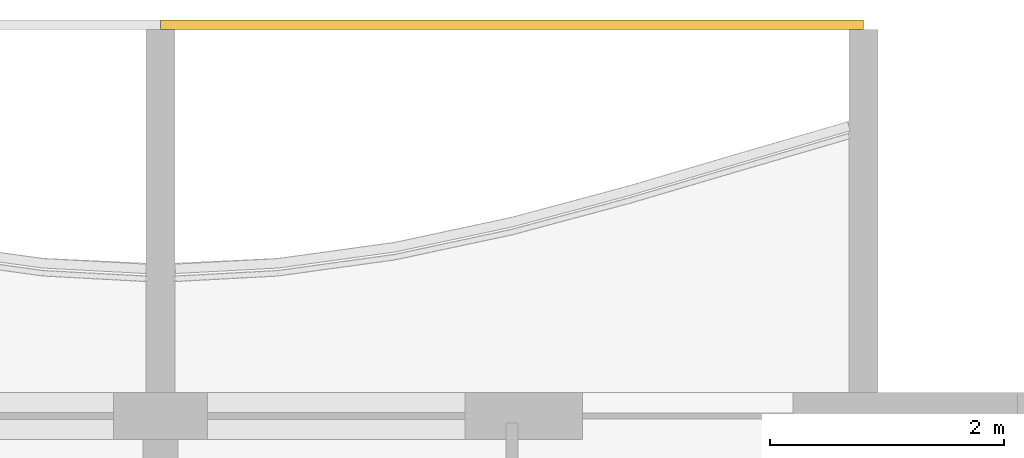
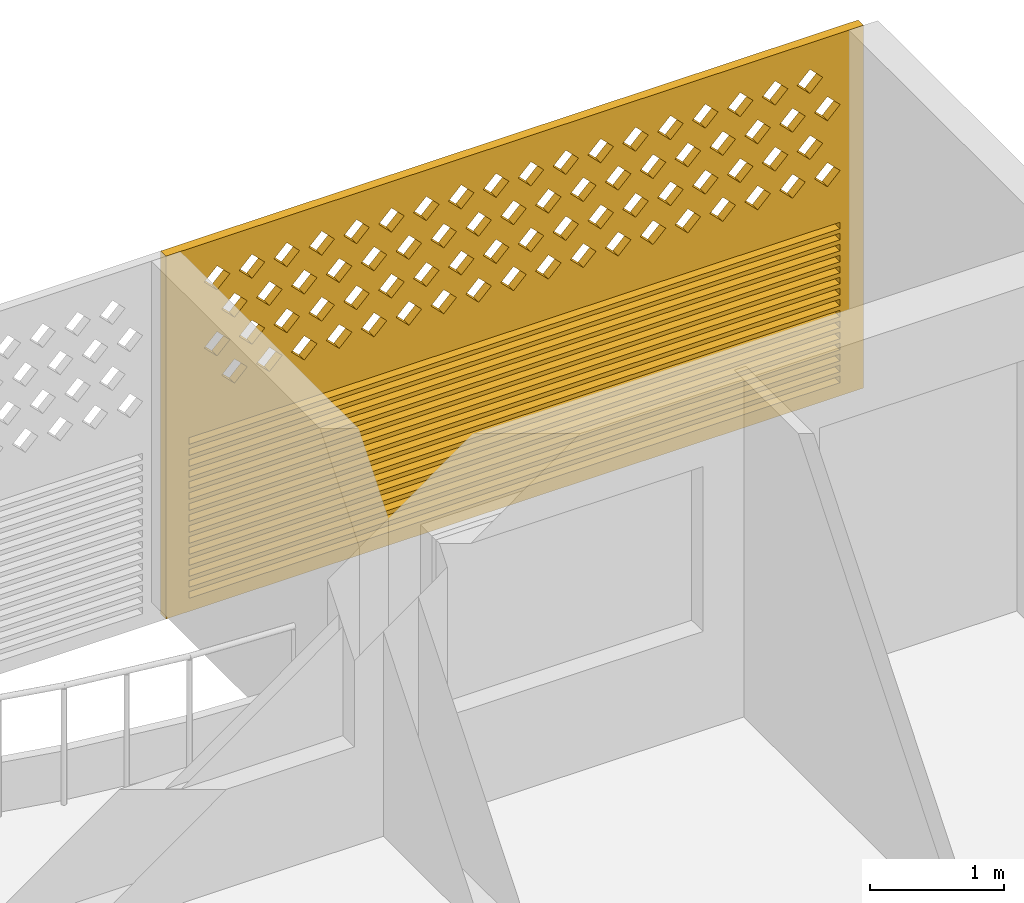
# One storey, part 32 of 32: 1 covering.
"""IFC4 building model written with IfcOpenShell, lengths in metres."""

from ifc_helpers import new_model, si_unit, direction, frame, origin, place, context, subcontext, project, spatial, polyline, outline, extrude, source, transform, mapped, material, material_profile, profile_set, type_object, element, save


model = new_model("IFC4")

# Units and contexts
model_context = context("Model", 3, precision=1e-05, world=origin(), true_north=direction((0.0, 1.0)))
body_context = subcontext(model_context, "Body", "Model", "MODEL_VIEW")
ifc_project = project(units=[si_unit("LENGTHUNIT", "METRE"), si_unit("AREAUNIT", "SQUARE_METRE"), si_unit("VOLUMEUNIT", "CUBIC_METRE"), si_unit("PLANEANGLEUNIT", "RADIAN"), si_unit("MASSUNIT", "GRAM", prefix="KILO")], contexts=[model_context])

# Site, building, storey
site_placement = place(None, origin())
site = spatial("IfcSite", under=ifc_project, at=site_placement, CompositionType="ELEMENT")
building_placement = place(site_placement, origin())
building = spatial("IfcBuilding", under=site, at=building_placement, Name="Poui Terraces", CompositionType="ELEMENT")
storey_placement = place(building_placement, frame((0.0, 0.0, 152.10009765625)))
storey = spatial("IfcBuildingStorey", under=building, at=storey_placement, Name="L42", CompositionType="ELEMENT", Elevation=152.10009765625)

# Covering
ifc_material = material(Name="Terracotta screen", Category="masonry")
ifc_material_profile = material_profile(ifc_material, outline(polyline([(-3.0, -1.64990234375), (3.0, -1.64990234375), (3.0, 1.64990234375), (-3.0, 1.64990234375), (-3.0, -1.64990234375)]), holes=[polyline([(-2.800048828125, 0.39990234375), (-2.68994140625, 0.2900390625), (-2.580078125, 0.39990234375), (-2.68994140625, 0.510009765625), (-2.800048828125, 0.39990234375)]), polyline([(-2.5, 0.39990234375), (-2.389892578125, 0.2900390625), (-2.280029296875, 0.39990234375), (-2.389892578125, 0.510009765625), (-2.5, 0.39990234375)]), polyline([(-2.199951171875, 0.39990234375), (-2.090087890625, 0.2900390625), (-1.97998046875, 0.39990234375), (-2.090087890625, 0.510009765625), (-2.199951171875, 0.39990234375)]), polyline([(-1.89990234375, 0.39990234375), (-1.7900390625, 0.2900390625), (-1.679931640625, 0.39990234375), (-1.7900390625, 0.510009765625), (-1.89990234375, 0.39990234375)]), polyline([(-1.60009765625, 0.39990234375), (-1.489990234375, 0.2900390625), (-1.3798828125, 0.39990234375), (-1.489990234375, 0.510009765625), (-1.60009765625, 0.39990234375)]), polyline([(-1.300048828125, 0.39990234375), (-1.18994140625, 0.2900390625), (-1.080078125, 0.39990234375), (-1.18994140625, 0.510009765625), (-1.300048828125, 0.39990234375)]), polyline([(-1.0, 0.39990234375), (-0.889892578125, 0.2900390625), (-0.780029296875, 0.39990234375), (-0.889892578125, 0.510009765625), (-1.0, 0.39990234375)]), polyline([(-0.699951171875, 0.39990234375), (-0.590087890625, 0.2900390625), (-0.47998046875, 0.39990234375), (-0.590087890625, 0.510009765625), (-0.699951171875, 0.39990234375)]), polyline([(-0.39990234375, 0.39990234375), (-0.2900390625, 0.2900390625), (-0.179931640625, 0.39990234375), (-0.2900390625, 0.510009765625), (-0.39990234375, 0.39990234375)]), polyline([(-0.10009765625, 0.39990234375), (0.010009765625, 0.2900390625), (0.1201171875, 0.39990234375), (0.010009765625, 0.510009765625), (-0.10009765625, 0.39990234375)]), polyline([(0.199951171875, 0.39990234375), (0.31005859375, 0.2900390625), (0.419921875, 0.39990234375), (0.31005859375, 0.510009765625), (0.199951171875, 0.39990234375)]), polyline([(0.5, 0.39990234375), (0.610107421875, 0.2900390625), (0.719970703125, 0.39990234375), (0.610107421875, 0.510009765625), (0.5, 0.39990234375)]), polyline([(0.800048828125, 0.39990234375), (0.909912109375, 0.2900390625), (1.02001953125, 0.39990234375), (0.909912109375, 0.510009765625), (0.800048828125, 0.39990234375)]), polyline([(1.10009765625, 0.39990234375), (1.2099609375, 0.2900390625), (1.320068359375, 0.39990234375), (1.2099609375, 0.510009765625), (1.10009765625, 0.39990234375)]), polyline([(1.39990234375, 0.39990234375), (1.510009765625, 0.2900390625), (1.6201171875, 0.39990234375), (1.510009765625, 0.510009765625), (1.39990234375, 0.39990234375)]), polyline([(1.699951171875, 0.39990234375), (1.81005859375, 0.2900390625), (1.919921875, 0.39990234375), (1.81005859375, 0.510009765625), (1.699951171875, 0.39990234375)]), polyline([(2.0, 0.39990234375), (2.110107421875, 0.2900390625), (2.219970703125, 0.39990234375), (2.110107421875, 0.510009765625), (2.0, 0.39990234375)]), polyline([(2.300048828125, 0.39990234375), (2.409912109375, 0.2900390625), (2.52001953125, 0.39990234375), (2.409912109375, 0.510009765625), (2.300048828125, 0.39990234375)]), polyline([(-2.64990234375, 0.699951171875), (-2.5400390625, 0.590087890625), (-2.429931640625, 0.699951171875), (-2.5400390625, 0.81005859375), (-2.64990234375, 0.699951171875)]), polyline([(-2.35009765625, 0.699951171875), (-2.239990234375, 0.590087890625), (-2.1298828125, 0.699951171875), (-2.239990234375, 0.81005859375), (-2.35009765625, 0.699951171875)]), polyline([(-2.050048828125, 0.699951171875), (-1.93994140625, 0.590087890625), (-1.830078125, 0.699951171875), (-1.93994140625, 0.81005859375), (-2.050048828125, 0.699951171875)]), polyline([(-1.75, 0.699951171875), (-1.639892578125, 0.590087890625), (-1.530029296875, 0.699951171875), (-1.639892578125, 0.81005859375), (-1.75, 0.699951171875)]), polyline([(-1.449951171875, 0.699951171875), (-1.340087890625, 0.590087890625), (-1.22998046875, 0.699951171875), (-1.340087890625, 0.81005859375), (-1.449951171875, 0.699951171875)]), polyline([(-1.14990234375, 0.699951171875), (-1.0400390625, 0.590087890625), (-0.929931640625, 0.699951171875), (-1.0400390625, 0.81005859375), (-1.14990234375, 0.699951171875)]), polyline([(-0.85009765625, 0.699951171875), (-0.739990234375, 0.590087890625), (-0.6298828125, 0.699951171875), (-0.739990234375, 0.81005859375), (-0.85009765625, 0.699951171875)]), polyline([(-0.550048828125, 0.699951171875), (-0.43994140625, 0.590087890625), (-0.330078125, 0.699951171875), (-0.43994140625, 0.81005859375), (-0.550048828125, 0.699951171875)]), polyline([(-0.25, 0.699951171875), (-0.139892578125, 0.590087890625), (-0.030029296875, 0.699951171875), (-0.139892578125, 0.81005859375), (-0.25, 0.699951171875)]), polyline([(0.050048828125, 0.699951171875), (0.159912109375, 0.590087890625), (0.27001953125, 0.699951171875), (0.159912109375, 0.81005859375), (0.050048828125, 0.699951171875)]), polyline([(0.35009765625, 0.699951171875), (0.4599609375, 0.590087890625), (0.570068359375, 0.699951171875), (0.4599609375, 0.81005859375), (0.35009765625, 0.699951171875)]), polyline([(0.64990234375, 0.699951171875), (0.760009765625, 0.590087890625), (0.8701171875, 0.699951171875), (0.760009765625, 0.81005859375), (0.64990234375, 0.699951171875)]), polyline([(0.949951171875, 0.699951171875), (1.06005859375, 0.590087890625), (1.169921875, 0.699951171875), (1.06005859375, 0.81005859375), (0.949951171875, 0.699951171875)]), polyline([(1.25, 0.699951171875), (1.360107421875, 0.590087890625), (1.469970703125, 0.699951171875), (1.360107421875, 0.81005859375), (1.25, 0.699951171875)]), polyline([(1.550048828125, 0.699951171875), (1.659912109375, 0.590087890625), (1.77001953125, 0.699951171875), (1.659912109375, 0.81005859375), (1.550048828125, 0.699951171875)]), polyline([(1.85009765625, 0.699951171875), (1.9599609375, 0.590087890625), (2.070068359375, 0.699951171875), (1.9599609375, 0.81005859375), (1.85009765625, 0.699951171875)]), polyline([(2.14990234375, 0.699951171875), (2.260009765625, 0.590087890625), (2.3701171875, 0.699951171875), (2.260009765625, 0.81005859375), (2.14990234375, 0.699951171875)]), polyline([(2.449951171875, 0.699951171875), (2.56005859375, 0.590087890625), (2.669921875, 0.699951171875), (2.56005859375, 0.81005859375), (2.449951171875, 0.699951171875)]), polyline([(-2.800048828125, 1.0), (-2.68994140625, 0.889892578125), (-2.580078125, 1.0), (-2.68994140625, 1.110107421875), (-2.800048828125, 1.0)]), polyline([(-2.5, 1.0), (-2.389892578125, 0.889892578125), (-2.280029296875, 1.0), (-2.389892578125, 1.110107421875), (-2.5, 1.0)]), polyline([(-2.199951171875, 1.0), (-2.090087890625, 0.889892578125), (-1.97998046875, 1.0), (-2.090087890625, 1.110107421875), (-2.199951171875, 1.0)]), polyline([(-1.89990234375, 1.0), (-1.7900390625, 0.889892578125), (-1.679931640625, 1.0), (-1.7900390625, 1.110107421875), (-1.89990234375, 1.0)]), polyline([(-1.60009765625, 1.0), (-1.489990234375, 0.889892578125), (-1.3798828125, 1.0), (-1.489990234375, 1.110107421875), (-1.60009765625, 1.0)]), polyline([(-1.300048828125, 1.0), (-1.18994140625, 0.889892578125), (-1.080078125, 1.0), (-1.18994140625, 1.110107421875), (-1.300048828125, 1.0)]), polyline([(-1.0, 1.0), (-0.889892578125, 0.889892578125), (-0.780029296875, 1.0), (-0.889892578125, 1.110107421875), (-1.0, 1.0)]), polyline([(-0.699951171875, 1.0), (-0.590087890625, 0.889892578125), (-0.47998046875, 1.0), (-0.590087890625, 1.110107421875), (-0.699951171875, 1.0)]), polyline([(-0.39990234375, 1.0), (-0.2900390625, 0.889892578125), (-0.179931640625, 1.0), (-0.2900390625, 1.110107421875), (-0.39990234375, 1.0)]), polyline([(-0.10009765625, 1.0), (0.010009765625, 0.889892578125), (0.1201171875, 1.0), (0.010009765625, 1.110107421875), (-0.10009765625, 1.0)]), polyline([(0.199951171875, 1.0), (0.31005859375, 0.889892578125), (0.419921875, 1.0), (0.31005859375, 1.110107421875), (0.199951171875, 1.0)]), polyline([(0.5, 1.0), (0.610107421875, 0.889892578125), (0.719970703125, 1.0), (0.610107421875, 1.110107421875), (0.5, 1.0)]), polyline([(0.800048828125, 1.0), (0.909912109375, 0.889892578125), (1.02001953125, 1.0), (0.909912109375, 1.110107421875), (0.800048828125, 1.0)]), polyline([(1.10009765625, 1.0), (1.2099609375, 0.889892578125), (1.320068359375, 1.0), (1.2099609375, 1.110107421875), (1.10009765625, 1.0)]), polyline([(1.39990234375, 1.0), (1.510009765625, 0.889892578125), (1.6201171875, 1.0), (1.510009765625, 1.110107421875), (1.39990234375, 1.0)]), polyline([(1.699951171875, 1.0), (1.81005859375, 0.889892578125), (1.919921875, 1.0), (1.81005859375, 1.110107421875), (1.699951171875, 1.0)]), polyline([(2.0, 1.0), (2.110107421875, 0.889892578125), (2.219970703125, 1.0), (2.110107421875, 1.110107421875), (2.0, 1.0)]), polyline([(2.300048828125, 1.0), (2.409912109375, 0.889892578125), (2.52001953125, 1.0), (2.409912109375, 1.110107421875), (2.300048828125, 1.0)]), polyline([(-2.64990234375, 1.300048828125), (-2.5400390625, 1.18994140625), (-2.429931640625, 1.300048828125), (-2.5400390625, 1.409912109375), (-2.64990234375, 1.300048828125)]), polyline([(-2.35009765625, 1.300048828125), (-2.239990234375, 1.18994140625), (-2.1298828125, 1.300048828125), (-2.239990234375, 1.409912109375), (-2.35009765625, 1.300048828125)]), polyline([(-2.050048828125, 1.300048828125), (-1.93994140625, 1.18994140625), (-1.830078125, 1.300048828125), (-1.93994140625, 1.409912109375), (-2.050048828125, 1.300048828125)]), polyline([(-1.75, 1.300048828125), (-1.639892578125, 1.18994140625), (-1.530029296875, 1.300048828125), (-1.639892578125, 1.409912109375), (-1.75, 1.300048828125)]), polyline([(-1.449951171875, 1.300048828125), (-1.340087890625, 1.18994140625), (-1.22998046875, 1.300048828125), (-1.340087890625, 1.409912109375), (-1.449951171875, 1.300048828125)]), polyline([(-1.14990234375, 1.300048828125), (-1.0400390625, 1.18994140625), (-0.929931640625, 1.300048828125), (-1.0400390625, 1.409912109375), (-1.14990234375, 1.300048828125)]), polyline([(-0.85009765625, 1.300048828125), (-0.739990234375, 1.18994140625), (-0.6298828125, 1.300048828125), (-0.739990234375, 1.409912109375), (-0.85009765625, 1.300048828125)]), polyline([(-0.550048828125, 1.300048828125), (-0.43994140625, 1.18994140625), (-0.330078125, 1.300048828125), (-0.43994140625, 1.409912109375), (-0.550048828125, 1.300048828125)]), polyline([(-0.25, 1.300048828125), (-0.139892578125, 1.18994140625), (-0.030029296875, 1.300048828125), (-0.139892578125, 1.409912109375), (-0.25, 1.300048828125)]), polyline([(0.050048828125, 1.300048828125), (0.159912109375, 1.18994140625), (0.27001953125, 1.300048828125), (0.159912109375, 1.409912109375), (0.050048828125, 1.300048828125)]), polyline([(0.35009765625, 1.300048828125), (0.4599609375, 1.18994140625), (0.570068359375, 1.300048828125), (0.4599609375, 1.409912109375), (0.35009765625, 1.300048828125)]), polyline([(0.64990234375, 1.300048828125), (0.760009765625, 1.18994140625), (0.8701171875, 1.300048828125), (0.760009765625, 1.409912109375), (0.64990234375, 1.300048828125)]), polyline([(0.949951171875, 1.300048828125), (1.06005859375, 1.18994140625), (1.169921875, 1.300048828125), (1.06005859375, 1.409912109375), (0.949951171875, 1.300048828125)]), polyline([(1.25, 1.300048828125), (1.360107421875, 1.18994140625), (1.469970703125, 1.300048828125), (1.360107421875, 1.409912109375), (1.25, 1.300048828125)]), polyline([(1.550048828125, 1.300048828125), (1.659912109375, 1.18994140625), (1.77001953125, 1.300048828125), (1.659912109375, 1.409912109375), (1.550048828125, 1.300048828125)]), polyline([(1.85009765625, 1.300048828125), (1.9599609375, 1.18994140625), (2.070068359375, 1.300048828125), (1.9599609375, 1.409912109375), (1.85009765625, 1.300048828125)]), polyline([(2.14990234375, 1.300048828125), (2.260009765625, 1.18994140625), (2.3701171875, 1.300048828125), (2.260009765625, 1.409912109375), (2.14990234375, 1.300048828125)]), polyline([(2.449951171875, 1.300048828125), (2.56005859375, 1.18994140625), (2.669921875, 1.300048828125), (2.56005859375, 1.409912109375), (2.449951171875, 1.300048828125)]), polyline([(-2.800048828125, -1.530029296875), (2.800048828125, -1.530029296875), (2.800048828125, -1.469970703125), (-2.800048828125, -1.469970703125), (-2.800048828125, -1.530029296875)]), polyline([(-2.800048828125, -1.429931640625), (2.800048828125, -1.429931640625), (2.800048828125, -1.3701171875), (-2.800048828125, -1.3701171875), (-2.800048828125, -1.429931640625)]), polyline([(-2.800048828125, -1.330078125), (2.800048828125, -1.330078125), (2.800048828125, -1.27001953125), (-2.800048828125, -1.27001953125), (-2.800048828125, -1.330078125)]), polyline([(-2.800048828125, -1.22998046875), (2.800048828125, -1.22998046875), (2.800048828125, -1.169921875), (-2.800048828125, -1.169921875), (-2.800048828125, -1.22998046875)]), polyline([(-2.800048828125, -1.1298828125), (2.800048828125, -1.1298828125), (2.800048828125, -1.070068359375), (-2.800048828125, -1.070068359375), (-2.800048828125, -1.1298828125)]), polyline([(-2.800048828125, -1.030029296875), (2.800048828125, -1.030029296875), (2.800048828125, -0.969970703125), (-2.800048828125, -0.969970703125), (-2.800048828125, -1.030029296875)]), polyline([(-2.800048828125, -0.929931640625), (2.800048828125, -0.929931640625), (2.800048828125, -0.8701171875), (-2.800048828125, -0.8701171875), (-2.800048828125, -0.929931640625)]), polyline([(-2.800048828125, -0.830078125), (2.800048828125, -0.830078125), (2.800048828125, -0.77001953125), (-2.800048828125, -0.77001953125), (-2.800048828125, -0.830078125)]), polyline([(-2.800048828125, -0.72998046875), (2.800048828125, -0.72998046875), (2.800048828125, -0.669921875), (-2.800048828125, -0.669921875), (-2.800048828125, -0.72998046875)]), polyline([(-2.800048828125, -0.6298828125), (2.800048828125, -0.6298828125), (2.800048828125, -0.570068359375), (-2.800048828125, -0.570068359375), (-2.800048828125, -0.6298828125)]), polyline([(-2.800048828125, -0.530029296875), (2.800048828125, -0.530029296875), (2.800048828125, -0.469970703125), (-2.800048828125, -0.469970703125), (-2.800048828125, -0.530029296875)]), polyline([(-2.800048828125, -0.429931640625), (2.800048828125, -0.429931640625), (2.800048828125, -0.3701171875), (-2.800048828125, -0.3701171875), (-2.800048828125, -0.429931640625)]), polyline([(-2.800048828125, -0.330078125), (2.800048828125, -0.330078125), (2.800048828125, -0.27001953125), (-2.800048828125, -0.27001953125), (-2.800048828125, -0.330078125)]), polyline([(-2.800048828125, -0.22998046875), (2.800048828125, -0.22998046875), (2.800048828125, -0.169921875), (-2.800048828125, -0.169921875), (-2.800048828125, -0.22998046875)]), polyline([(-2.800048828125, -0.1298828125), (2.800048828125, -0.1298828125), (2.800048828125, -0.070068359375), (-2.800048828125, -0.070068359375), (-2.800048828125, -0.1298828125)])]), Name="TERRACOTTA SCREEN AND JALOUSIE LOUVRE 6000X3300")
ifc_profile_set = profile_set([ifc_material_profile], Name="Terracotta screen")
covering_type = type_object("IfcCoveringType", Name="TERRACOTTA SCREEN AND JALOUSIE LOUVRE 6000X3300", PredefinedType="CLADDING", material=ifc_profile_set)
shared_shape = source(origin(), body_context, "Body", "SweptSolid", [
    extrude(outline(polyline([(-3.0, -1.64990234375), (3.0, -1.64990234375), (3.0, 1.64990234375), (-3.0, 1.64990234375), (-3.0, -1.64990234375)]), holes=[polyline([(-2.800048828125, 0.39990234375), (-2.68994140625, 0.2900390625), (-2.580078125, 0.39990234375), (-2.68994140625, 0.510009765625), (-2.800048828125, 0.39990234375)]), polyline([(-2.5, 0.39990234375), (-2.389892578125, 0.2900390625), (-2.280029296875, 0.39990234375), (-2.389892578125, 0.510009765625), (-2.5, 0.39990234375)]), polyline([(-2.199951171875, 0.39990234375), (-2.090087890625, 0.2900390625), (-1.97998046875, 0.39990234375), (-2.090087890625, 0.510009765625), (-2.199951171875, 0.39990234375)]), polyline([(-1.89990234375, 0.39990234375), (-1.7900390625, 0.2900390625), (-1.679931640625, 0.39990234375), (-1.7900390625, 0.510009765625), (-1.89990234375, 0.39990234375)]), polyline([(-1.60009765625, 0.39990234375), (-1.489990234375, 0.2900390625), (-1.3798828125, 0.39990234375), (-1.489990234375, 0.510009765625), (-1.60009765625, 0.39990234375)]), polyline([(-1.300048828125, 0.39990234375), (-1.18994140625, 0.2900390625), (-1.080078125, 0.39990234375), (-1.18994140625, 0.510009765625), (-1.300048828125, 0.39990234375)]), polyline([(-1.0, 0.39990234375), (-0.889892578125, 0.2900390625), (-0.780029296875, 0.39990234375), (-0.889892578125, 0.510009765625), (-1.0, 0.39990234375)]), polyline([(-0.699951171875, 0.39990234375), (-0.590087890625, 0.2900390625), (-0.47998046875, 0.39990234375), (-0.590087890625, 0.510009765625), (-0.699951171875, 0.39990234375)]), polyline([(-0.39990234375, 0.39990234375), (-0.2900390625, 0.2900390625), (-0.179931640625, 0.39990234375), (-0.2900390625, 0.510009765625), (-0.39990234375, 0.39990234375)]), polyline([(-0.10009765625, 0.39990234375), (0.010009765625, 0.2900390625), (0.1201171875, 0.39990234375), (0.010009765625, 0.510009765625), (-0.10009765625, 0.39990234375)]), polyline([(0.199951171875, 0.39990234375), (0.31005859375, 0.2900390625), (0.419921875, 0.39990234375), (0.31005859375, 0.510009765625), (0.199951171875, 0.39990234375)]), polyline([(0.5, 0.39990234375), (0.610107421875, 0.2900390625), (0.719970703125, 0.39990234375), (0.610107421875, 0.510009765625), (0.5, 0.39990234375)]), polyline([(0.800048828125, 0.39990234375), (0.909912109375, 0.2900390625), (1.02001953125, 0.39990234375), (0.909912109375, 0.510009765625), (0.800048828125, 0.39990234375)]), polyline([(1.10009765625, 0.39990234375), (1.2099609375, 0.2900390625), (1.320068359375, 0.39990234375), (1.2099609375, 0.510009765625), (1.10009765625, 0.39990234375)]), polyline([(1.39990234375, 0.39990234375), (1.510009765625, 0.2900390625), (1.6201171875, 0.39990234375), (1.510009765625, 0.510009765625), (1.39990234375, 0.39990234375)]), polyline([(1.699951171875, 0.39990234375), (1.81005859375, 0.2900390625), (1.919921875, 0.39990234375), (1.81005859375, 0.510009765625), (1.699951171875, 0.39990234375)]), polyline([(2.0, 0.39990234375), (2.110107421875, 0.2900390625), (2.219970703125, 0.39990234375), (2.110107421875, 0.510009765625), (2.0, 0.39990234375)]), polyline([(2.300048828125, 0.39990234375), (2.409912109375, 0.2900390625), (2.52001953125, 0.39990234375), (2.409912109375, 0.510009765625), (2.300048828125, 0.39990234375)]), polyline([(-2.64990234375, 0.699951171875), (-2.5400390625, 0.590087890625), (-2.429931640625, 0.699951171875), (-2.5400390625, 0.81005859375), (-2.64990234375, 0.699951171875)]), polyline([(-2.35009765625, 0.699951171875), (-2.239990234375, 0.590087890625), (-2.1298828125, 0.699951171875), (-2.239990234375, 0.81005859375), (-2.35009765625, 0.699951171875)]), polyline([(-2.050048828125, 0.699951171875), (-1.93994140625, 0.590087890625), (-1.830078125, 0.699951171875), (-1.93994140625, 0.81005859375), (-2.050048828125, 0.699951171875)]), polyline([(-1.75, 0.699951171875), (-1.639892578125, 0.590087890625), (-1.530029296875, 0.699951171875), (-1.639892578125, 0.81005859375), (-1.75, 0.699951171875)]), polyline([(-1.449951171875, 0.699951171875), (-1.340087890625, 0.590087890625), (-1.22998046875, 0.699951171875), (-1.340087890625, 0.81005859375), (-1.449951171875, 0.699951171875)]), polyline([(-1.14990234375, 0.699951171875), (-1.0400390625, 0.590087890625), (-0.929931640625, 0.699951171875), (-1.0400390625, 0.81005859375), (-1.14990234375, 0.699951171875)]), polyline([(-0.85009765625, 0.699951171875), (-0.739990234375, 0.590087890625), (-0.6298828125, 0.699951171875), (-0.739990234375, 0.81005859375), (-0.85009765625, 0.699951171875)]), polyline([(-0.550048828125, 0.699951171875), (-0.43994140625, 0.590087890625), (-0.330078125, 0.699951171875), (-0.43994140625, 0.81005859375), (-0.550048828125, 0.699951171875)]), polyline([(-0.25, 0.699951171875), (-0.139892578125, 0.590087890625), (-0.030029296875, 0.699951171875), (-0.139892578125, 0.81005859375), (-0.25, 0.699951171875)]), polyline([(0.050048828125, 0.699951171875), (0.159912109375, 0.590087890625), (0.27001953125, 0.699951171875), (0.159912109375, 0.81005859375), (0.050048828125, 0.699951171875)]), polyline([(0.35009765625, 0.699951171875), (0.4599609375, 0.590087890625), (0.570068359375, 0.699951171875), (0.4599609375, 0.81005859375), (0.35009765625, 0.699951171875)]), polyline([(0.64990234375, 0.699951171875), (0.760009765625, 0.590087890625), (0.8701171875, 0.699951171875), (0.760009765625, 0.81005859375), (0.64990234375, 0.699951171875)]), polyline([(0.949951171875, 0.699951171875), (1.06005859375, 0.590087890625), (1.169921875, 0.699951171875), (1.06005859375, 0.81005859375), (0.949951171875, 0.699951171875)]), polyline([(1.25, 0.699951171875), (1.360107421875, 0.590087890625), (1.469970703125, 0.699951171875), (1.360107421875, 0.81005859375), (1.25, 0.699951171875)]), polyline([(1.550048828125, 0.699951171875), (1.659912109375, 0.590087890625), (1.77001953125, 0.699951171875), (1.659912109375, 0.81005859375), (1.550048828125, 0.699951171875)]), polyline([(1.85009765625, 0.699951171875), (1.9599609375, 0.590087890625), (2.070068359375, 0.699951171875), (1.9599609375, 0.81005859375), (1.85009765625, 0.699951171875)]), polyline([(2.14990234375, 0.699951171875), (2.260009765625, 0.590087890625), (2.3701171875, 0.699951171875), (2.260009765625, 0.81005859375), (2.14990234375, 0.699951171875)]), polyline([(2.449951171875, 0.699951171875), (2.56005859375, 0.590087890625), (2.669921875, 0.699951171875), (2.56005859375, 0.81005859375), (2.449951171875, 0.699951171875)]), polyline([(-2.800048828125, 1.0), (-2.68994140625, 0.889892578125), (-2.580078125, 1.0), (-2.68994140625, 1.110107421875), (-2.800048828125, 1.0)]), polyline([(-2.5, 1.0), (-2.389892578125, 0.889892578125), (-2.280029296875, 1.0), (-2.389892578125, 1.110107421875), (-2.5, 1.0)]), polyline([(-2.199951171875, 1.0), (-2.090087890625, 0.889892578125), (-1.97998046875, 1.0), (-2.090087890625, 1.110107421875), (-2.199951171875, 1.0)]), polyline([(-1.89990234375, 1.0), (-1.7900390625, 0.889892578125), (-1.679931640625, 1.0), (-1.7900390625, 1.110107421875), (-1.89990234375, 1.0)]), polyline([(-1.60009765625, 1.0), (-1.489990234375, 0.889892578125), (-1.3798828125, 1.0), (-1.489990234375, 1.110107421875), (-1.60009765625, 1.0)]), polyline([(-1.300048828125, 1.0), (-1.18994140625, 0.889892578125), (-1.080078125, 1.0), (-1.18994140625, 1.110107421875), (-1.300048828125, 1.0)]), polyline([(-1.0, 1.0), (-0.889892578125, 0.889892578125), (-0.780029296875, 1.0), (-0.889892578125, 1.110107421875), (-1.0, 1.0)]), polyline([(-0.699951171875, 1.0), (-0.590087890625, 0.889892578125), (-0.47998046875, 1.0), (-0.590087890625, 1.110107421875), (-0.699951171875, 1.0)]), polyline([(-0.39990234375, 1.0), (-0.2900390625, 0.889892578125), (-0.179931640625, 1.0), (-0.2900390625, 1.110107421875), (-0.39990234375, 1.0)]), polyline([(-0.10009765625, 1.0), (0.010009765625, 0.889892578125), (0.1201171875, 1.0), (0.010009765625, 1.110107421875), (-0.10009765625, 1.0)]), polyline([(0.199951171875, 1.0), (0.31005859375, 0.889892578125), (0.419921875, 1.0), (0.31005859375, 1.110107421875), (0.199951171875, 1.0)]), polyline([(0.5, 1.0), (0.610107421875, 0.889892578125), (0.719970703125, 1.0), (0.610107421875, 1.110107421875), (0.5, 1.0)]), polyline([(0.800048828125, 1.0), (0.909912109375, 0.889892578125), (1.02001953125, 1.0), (0.909912109375, 1.110107421875), (0.800048828125, 1.0)]), polyline([(1.10009765625, 1.0), (1.2099609375, 0.889892578125), (1.320068359375, 1.0), (1.2099609375, 1.110107421875), (1.10009765625, 1.0)]), polyline([(1.39990234375, 1.0), (1.510009765625, 0.889892578125), (1.6201171875, 1.0), (1.510009765625, 1.110107421875), (1.39990234375, 1.0)]), polyline([(1.699951171875, 1.0), (1.81005859375, 0.889892578125), (1.919921875, 1.0), (1.81005859375, 1.110107421875), (1.699951171875, 1.0)]), polyline([(2.0, 1.0), (2.110107421875, 0.889892578125), (2.219970703125, 1.0), (2.110107421875, 1.110107421875), (2.0, 1.0)]), polyline([(2.300048828125, 1.0), (2.409912109375, 0.889892578125), (2.52001953125, 1.0), (2.409912109375, 1.110107421875), (2.300048828125, 1.0)]), polyline([(-2.64990234375, 1.300048828125), (-2.5400390625, 1.18994140625), (-2.429931640625, 1.300048828125), (-2.5400390625, 1.409912109375), (-2.64990234375, 1.300048828125)]), polyline([(-2.35009765625, 1.300048828125), (-2.239990234375, 1.18994140625), (-2.1298828125, 1.300048828125), (-2.239990234375, 1.409912109375), (-2.35009765625, 1.300048828125)]), polyline([(-2.050048828125, 1.300048828125), (-1.93994140625, 1.18994140625), (-1.830078125, 1.300048828125), (-1.93994140625, 1.409912109375), (-2.050048828125, 1.300048828125)]), polyline([(-1.75, 1.300048828125), (-1.639892578125, 1.18994140625), (-1.530029296875, 1.300048828125), (-1.639892578125, 1.409912109375), (-1.75, 1.300048828125)]), polyline([(-1.449951171875, 1.300048828125), (-1.340087890625, 1.18994140625), (-1.22998046875, 1.300048828125), (-1.340087890625, 1.409912109375), (-1.449951171875, 1.300048828125)]), polyline([(-1.14990234375, 1.300048828125), (-1.0400390625, 1.18994140625), (-0.929931640625, 1.300048828125), (-1.0400390625, 1.409912109375), (-1.14990234375, 1.300048828125)]), polyline([(-0.85009765625, 1.300048828125), (-0.739990234375, 1.18994140625), (-0.6298828125, 1.300048828125), (-0.739990234375, 1.409912109375), (-0.85009765625, 1.300048828125)]), polyline([(-0.550048828125, 1.300048828125), (-0.43994140625, 1.18994140625), (-0.330078125, 1.300048828125), (-0.43994140625, 1.409912109375), (-0.550048828125, 1.300048828125)]), polyline([(-0.25, 1.300048828125), (-0.139892578125, 1.18994140625), (-0.030029296875, 1.300048828125), (-0.139892578125, 1.409912109375), (-0.25, 1.300048828125)]), polyline([(0.050048828125, 1.300048828125), (0.159912109375, 1.18994140625), (0.27001953125, 1.300048828125), (0.159912109375, 1.409912109375), (0.050048828125, 1.300048828125)]), polyline([(0.35009765625, 1.300048828125), (0.4599609375, 1.18994140625), (0.570068359375, 1.300048828125), (0.4599609375, 1.409912109375), (0.35009765625, 1.300048828125)]), polyline([(0.64990234375, 1.300048828125), (0.760009765625, 1.18994140625), (0.8701171875, 1.300048828125), (0.760009765625, 1.409912109375), (0.64990234375, 1.300048828125)]), polyline([(0.949951171875, 1.300048828125), (1.06005859375, 1.18994140625), (1.169921875, 1.300048828125), (1.06005859375, 1.409912109375), (0.949951171875, 1.300048828125)]), polyline([(1.25, 1.300048828125), (1.360107421875, 1.18994140625), (1.469970703125, 1.300048828125), (1.360107421875, 1.409912109375), (1.25, 1.300048828125)]), polyline([(1.550048828125, 1.300048828125), (1.659912109375, 1.18994140625), (1.77001953125, 1.300048828125), (1.659912109375, 1.409912109375), (1.550048828125, 1.300048828125)]), polyline([(1.85009765625, 1.300048828125), (1.9599609375, 1.18994140625), (2.070068359375, 1.300048828125), (1.9599609375, 1.409912109375), (1.85009765625, 1.300048828125)]), polyline([(2.14990234375, 1.300048828125), (2.260009765625, 1.18994140625), (2.3701171875, 1.300048828125), (2.260009765625, 1.409912109375), (2.14990234375, 1.300048828125)]), polyline([(2.449951171875, 1.300048828125), (2.56005859375, 1.18994140625), (2.669921875, 1.300048828125), (2.56005859375, 1.409912109375), (2.449951171875, 1.300048828125)]), polyline([(-2.800048828125, -1.530029296875), (2.800048828125, -1.530029296875), (2.800048828125, -1.469970703125), (-2.800048828125, -1.469970703125), (-2.800048828125, -1.530029296875)]), polyline([(-2.800048828125, -1.429931640625), (2.800048828125, -1.429931640625), (2.800048828125, -1.3701171875), (-2.800048828125, -1.3701171875), (-2.800048828125, -1.429931640625)]), polyline([(-2.800048828125, -1.330078125), (2.800048828125, -1.330078125), (2.800048828125, -1.27001953125), (-2.800048828125, -1.27001953125), (-2.800048828125, -1.330078125)]), polyline([(-2.800048828125, -1.22998046875), (2.800048828125, -1.22998046875), (2.800048828125, -1.169921875), (-2.800048828125, -1.169921875), (-2.800048828125, -1.22998046875)]), polyline([(-2.800048828125, -1.1298828125), (2.800048828125, -1.1298828125), (2.800048828125, -1.070068359375), (-2.800048828125, -1.070068359375), (-2.800048828125, -1.1298828125)]), polyline([(-2.800048828125, -1.030029296875), (2.800048828125, -1.030029296875), (2.800048828125, -0.969970703125), (-2.800048828125, -0.969970703125), (-2.800048828125, -1.030029296875)]), polyline([(-2.800048828125, -0.929931640625), (2.800048828125, -0.929931640625), (2.800048828125, -0.8701171875), (-2.800048828125, -0.8701171875), (-2.800048828125, -0.929931640625)]), polyline([(-2.800048828125, -0.830078125), (2.800048828125, -0.830078125), (2.800048828125, -0.77001953125), (-2.800048828125, -0.77001953125), (-2.800048828125, -0.830078125)]), polyline([(-2.800048828125, -0.72998046875), (2.800048828125, -0.72998046875), (2.800048828125, -0.669921875), (-2.800048828125, -0.669921875), (-2.800048828125, -0.72998046875)]), polyline([(-2.800048828125, -0.6298828125), (2.800048828125, -0.6298828125), (2.800048828125, -0.570068359375), (-2.800048828125, -0.570068359375), (-2.800048828125, -0.6298828125)]), polyline([(-2.800048828125, -0.530029296875), (2.800048828125, -0.530029296875), (2.800048828125, -0.469970703125), (-2.800048828125, -0.469970703125), (-2.800048828125, -0.530029296875)]), polyline([(-2.800048828125, -0.429931640625), (2.800048828125, -0.429931640625), (2.800048828125, -0.3701171875), (-2.800048828125, -0.3701171875), (-2.800048828125, -0.429931640625)]), polyline([(-2.800048828125, -0.330078125), (2.800048828125, -0.330078125), (2.800048828125, -0.27001953125), (-2.800048828125, -0.27001953125), (-2.800048828125, -0.330078125)]), polyline([(-2.800048828125, -0.22998046875), (2.800048828125, -0.22998046875), (2.800048828125, -0.169921875), (-2.800048828125, -0.169921875), (-2.800048828125, -0.22998046875)]), polyline([(-2.800048828125, -0.1298828125), (2.800048828125, -0.1298828125), (2.800048828125, -0.070068359375), (-2.800048828125, -0.070068359375), (-2.800048828125, -0.1298828125)])]), origin(), (0.0, 0.0, 1.0), 0.080078125),
])
covering_placement = place(storey_placement, frame((81.0, 45.699951171875, 1.449951171875), z_axis=(0.0, 1.0, 0.0), x_axis=(-1.0, 0.0, 0.0)))
element("IfcCovering", 1, at=covering_placement, inside=storey, type_object=covering_type, Name="SOLAR SCREEN AND JALOUSIE LOUVRE", PredefinedType="CLADDING", context=body_context, shape_type="MappedRepresentation", body=[
    mapped(shared_shape, transform((0.0, 0.0, 0.0))),
])

save(model, "model.ifc")
